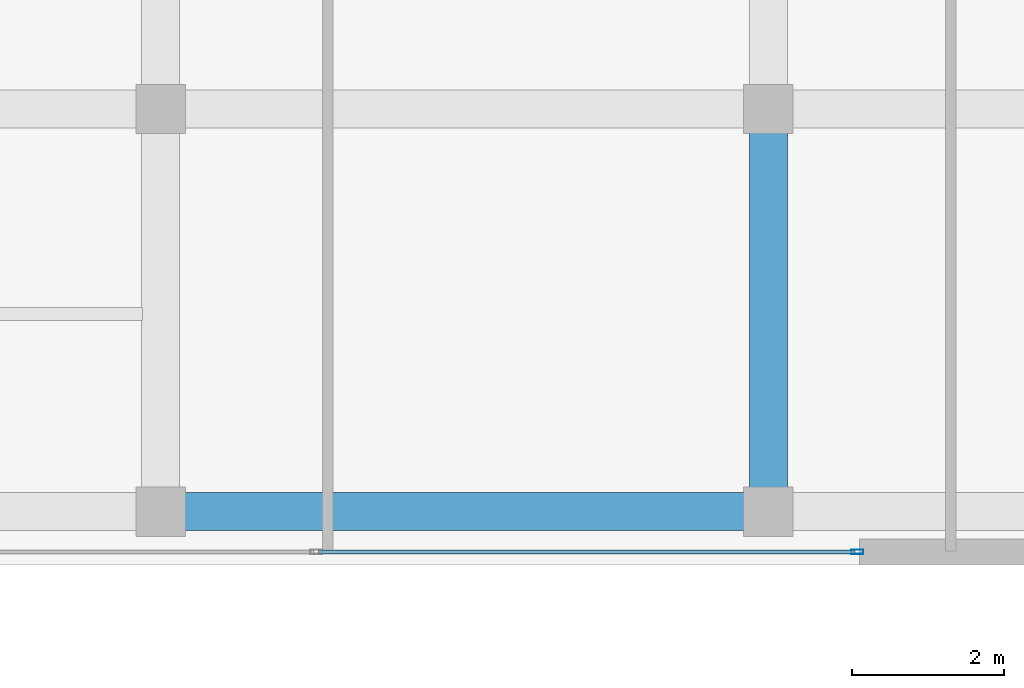
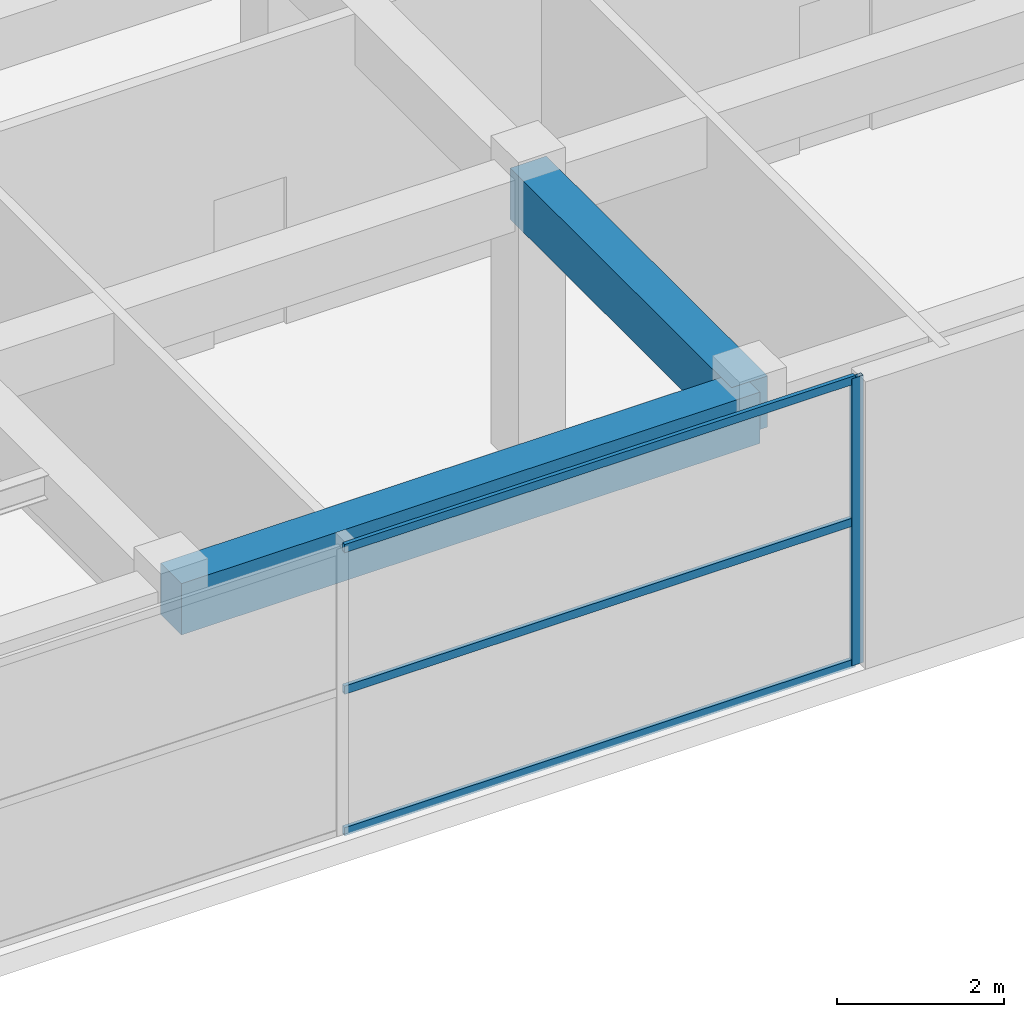
# One storey, part 11 of 26: 4 members, 2 beams, 1 element without a shape of its own.
"""IFC4 building model written with IfcOpenShell, lengths in metres."""

from ifc_helpers import new_model, si_unit, direction, frame, origin, origin_2d, place, context, subcontext, project, spatial, rectangle, hollow_rectangle, extrude, source, transform, mapped, material, layer, layer_set, material_profile, profile_set, type_object, element, aggregate, save


model = new_model("IFC4")

# Units and contexts
model_context = context("Model", 3, precision=1e-05, world=origin(), true_north=direction((0.0, 1.0)))
body_context = subcontext(model_context, "Body", "Model", "MODEL_VIEW")
ifc_project = project(units=[si_unit("LENGTHUNIT", "METRE"), si_unit("AREAUNIT", "SQUARE_METRE"), si_unit("VOLUMEUNIT", "CUBIC_METRE"), si_unit("PLANEANGLEUNIT", "RADIAN"), si_unit("MASSUNIT", "GRAM", prefix="KILO")], contexts=[model_context])

# Site, building, storey
site_placement = place(None, origin())
site = spatial("IfcSite", under=ifc_project, at=site_placement, CompositionType="ELEMENT")
building_placement = place(site_placement, origin())
building = spatial("IfcBuilding", under=site, at=building_placement, Name="Khoralis Quay Care Tower", CompositionType="ELEMENT")
storey_placement = place(building_placement, frame((0.0, 0.0, 4.5)))
storey = spatial("IfcBuildingStorey", under=building, at=storey_placement, Name="L01", CompositionType="ELEMENT", Elevation=4.5)

# Beams
ifc_material_1 = material(Name="Concrete C40/50", Category="concrete")
ifc_material_profile_1 = material_profile(ifc_material_1, rectangle(XDim=0.5, YDim=0.75, at=origin_2d()), Name="Concrete C40/50")
ifc_profile_set_1 = profile_set([ifc_material_profile_1], Name="Concrete C40/50")
beam_type = type_object("IfcBeamType", Name="BM-RC500X750", PredefinedType="BEAM", material=ifc_profile_set_1)
shared_shape_1 = source(origin(), body_context, "Body", "SweptSolid", [
    extrude(rectangle(XDim=0.5, YDim=0.75, at=origin_2d()), origin(), (0.0, 0.0, 1.0), 8.0),
])
beam_1_placement = place(storey_placement, frame((84.0, 6.699951171875, 3.824951171875), z_axis=(1.0, 0.0, 0.0), x_axis=(0.0, 1.0, 0.0)))
element("IfcBeam", 1, at=beam_1_placement, inside=storey, type_object=beam_type, Name="BM-SCX-L01-03", PredefinedType="BEAM", context=body_context, shape_type="MappedRepresentation", body=[
    mapped(shared_shape_1, transform((0.0, 0.0, 0.0), scale=1.0)),
])
shared_shape_2 = source(origin(), body_context, "Body", "SweptSolid", [
    extrude(rectangle(XDim=0.5, YDim=0.75, at=origin_2d()), origin(), (0.0, 0.0, 1.0), 5.300048828125),
])
beam_2_placement = place(storey_placement, frame((92.0, 6.699951171875, 3.824951171875), z_axis=(0.0, 1.0, 0.0), x_axis=(-1.0, 0.0, 0.0)))
element("IfcBeam", 2, at=beam_2_placement, inside=storey, type_object=beam_type, Name="BM-SCY-L01-51", PredefinedType="BEAM", context=body_context, shape_type="MappedRepresentation", body=[
    mapped(shared_shape_2, transform((0.0, 0.0, 0.0), scale=1.0)),
])

# Curtain wall, members
ifc_material_2 = material(Name="Pale anodised aluminium", Category="aluminium")
ifc_layer = layer(ifc_material_2, 0.14990234375)
ifc_layer_set = layer_set([ifc_layer], Name="Pale anodised aluminium")
curtain_wall_type = type_object("IfcCurtainWallType", Name="CW-SYS-SCHOOL", PredefinedType="NOTDEFINED", material=ifc_layer_set)
curtain_wall_placement = place(storey_placement, origin())
curtain_wall = element("IfcCurtainWall", 3, at=curtain_wall_placement, inside=storey, type_object=curtain_wall_type, Name="L01 Unitised Curtain Wall CW-SCH-L01-E0", PredefinedType="NOTDEFINED")
ifc_material_profile_2 = material_profile(ifc_material_2, hollow_rectangle(XDim=0.06005859375, YDim=0.159912109375, WallThickness=0.00390625, at=origin_2d()), Name="Pale anodised aluminium")
ifc_profile_set_2 = profile_set([ifc_material_profile_2], Name="Pale anodised aluminium")
member_type_1 = type_object("IfcMemberType", Name="CW-MUL-160", PredefinedType="MULLION", material=ifc_profile_set_2)
shared_shape_3 = source(origin(), body_context, "Body", "SweptSolid", [
    extrude(hollow_rectangle(XDim=0.06005859375, YDim=0.159912109375, WallThickness=0.00390625, at=origin_2d()), origin(), (0.0, 0.0, 1.0), 4.199951171875),
])
member_1_placement = place(storey_placement, frame((93.172119140625, 6.169921875, 0.0), z_axis=(0.0, 0.0, 1.0), x_axis=(0.0, 1.0, 0.0)))
member_1 = element("IfcMember", 4, at=member_1_placement, type_object=member_type_1, Name="CW6 mullion 3", PredefinedType="MULLION", context=body_context, shape_type="MappedRepresentation", body=[
    mapped(shared_shape_3, transform((0.0, 0.0, 0.0), scale=1.0)),
])
ifc_material_profile_3 = material_profile(ifc_material_2, hollow_rectangle(XDim=0.054931640625, YDim=0.1201171875, WallThickness=0.00390625, at=origin_2d()), Name="Pale anodised aluminium")
ifc_profile_set_3 = profile_set([ifc_material_profile_3], Name="Pale anodised aluminium")
member_type_2 = type_object("IfcMemberType", Name="CW-TRN-120", PredefinedType="USERDEFINED", material=ifc_profile_set_3)
shared_shape_4 = source(origin(), body_context, "Body", "SweptSolid", [
    extrude(hollow_rectangle(XDim=0.054931640625, YDim=0.1201171875, WallThickness=0.00390625, at=origin_2d()), origin(), (0.0, 0.0, 1.0), 7.06201171875),
])
member_2_placement = place(storey_placement, frame((86.080078125, 6.169921875, 0.030029296875), z_axis=(1.0, 0.0, 0.0), x_axis=(0.0, 1.0, 0.0)))
member_2 = element("IfcMember", 5, at=member_2_placement, type_object=member_type_2, Name="CW6 transom 2.1", ObjectType="TRANSOM", PredefinedType="USERDEFINED", context=body_context, shape_type="MappedRepresentation", body=[
    mapped(shared_shape_4, transform((0.0, 0.0, 0.0), scale=1.0)),
])
member_3_placement = place(storey_placement, frame((86.080078125, 6.169921875, 2.10009765625), z_axis=(1.0, 0.0, 0.0), x_axis=(0.0, 1.0, 0.0)))
member_3 = element("IfcMember", 6, at=member_3_placement, type_object=member_type_2, Name="CW6 transom 2.2", ObjectType="TRANSOM", PredefinedType="USERDEFINED", context=body_context, shape_type="MappedRepresentation", body=[
    mapped(shared_shape_4, transform((0.0, 0.0, 0.0), scale=1.0)),
])
member_4_placement = place(storey_placement, frame((86.080078125, 6.169921875, 4.169921875), z_axis=(1.0, 0.0, 0.0), x_axis=(0.0, 1.0, 0.0)))
member_4 = element("IfcMember", 7, at=member_4_placement, type_object=member_type_2, Name="CW6 transom 2.3", ObjectType="TRANSOM", PredefinedType="USERDEFINED", context=body_context, shape_type="MappedRepresentation", body=[
    mapped(shared_shape_4, transform((0.0, 0.0, 0.0), scale=1.0)),
])
aggregate(curtain_wall, [member_1, member_2, member_3, member_4])

save(model, "model.ifc")
